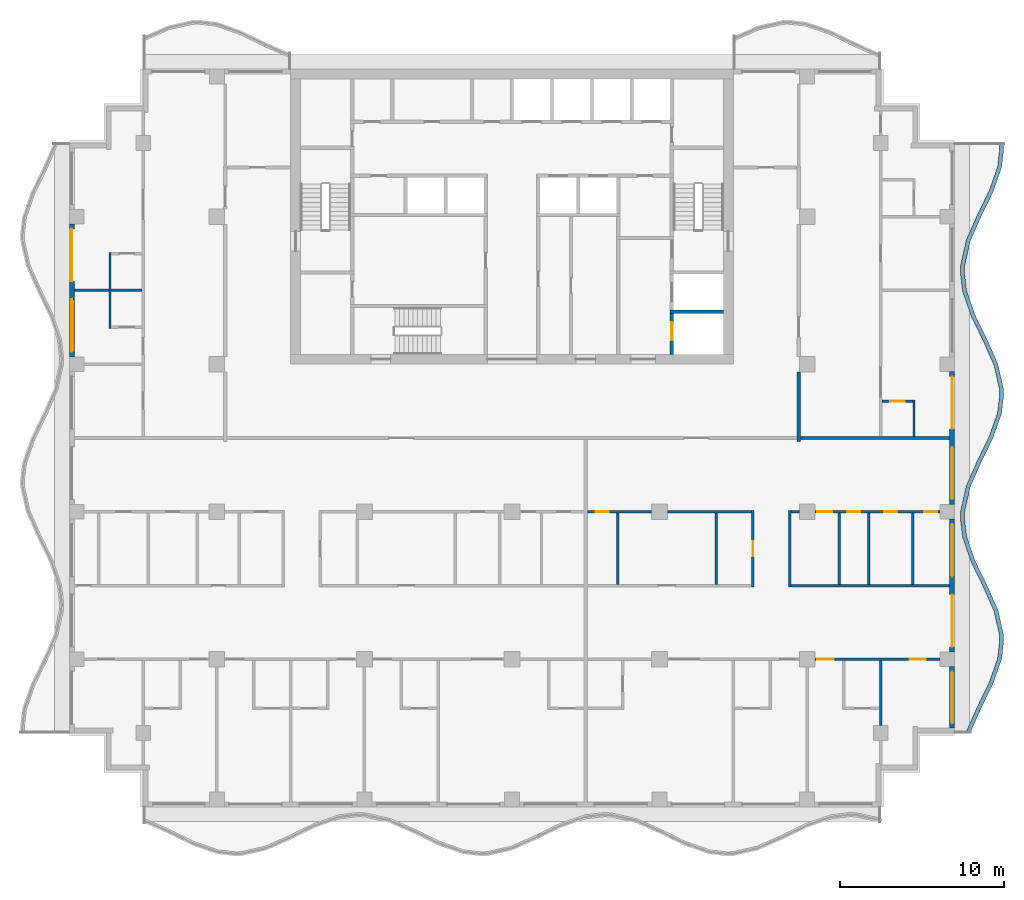
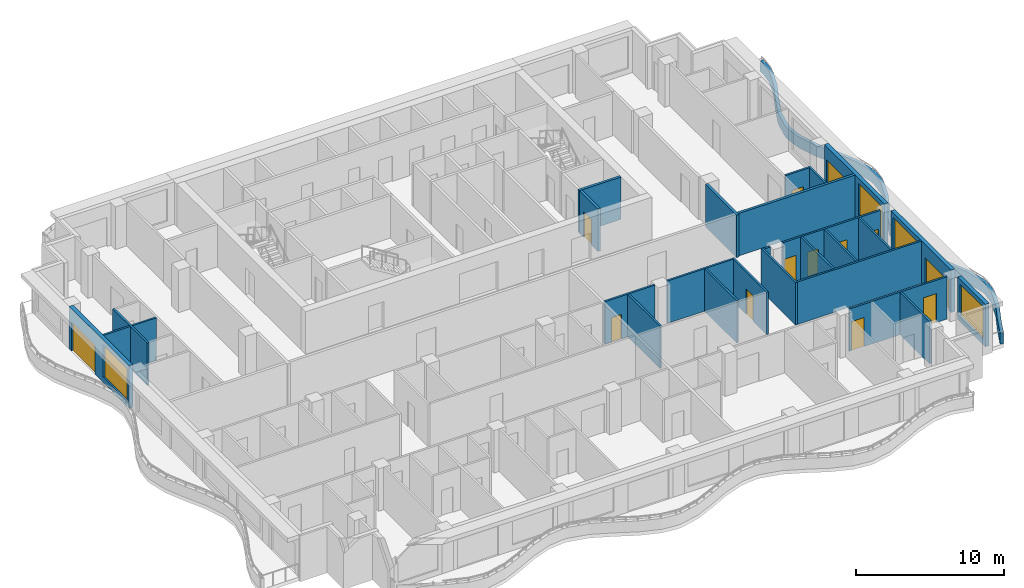
# One storey, part 4 of 11: 28 walls, 13 doors, 4 windows, 17 openings.
"""IFC4 building model written with IfcOpenShell, lengths in metres."""

from ifc_helpers import new_model, si_unit, direction, frame, frame_2d, origin, place, context, subcontext, project, spatial, polyline, rectangle, outline, extrude, material, layer, layer_set, type_object, element, fill, save


model = new_model("IFC4")

# Units and contexts
model_context = context("Model", 3, precision=1e-05, world=origin(), true_north=direction((0.0, 1.0)))
body_context = subcontext(model_context, "Body", "Model", "MODEL_VIEW")
ifc_project = project(units=[si_unit("LENGTHUNIT", "METRE"), si_unit("AREAUNIT", "SQUARE_METRE"), si_unit("VOLUMEUNIT", "CUBIC_METRE"), si_unit("PLANEANGLEUNIT", "RADIAN"), si_unit("MASSUNIT", "GRAM", prefix="KILO")], contexts=[model_context])

# Site, building, storey
site_placement = place(None, origin())
site = spatial("IfcSite", under=ifc_project, at=site_placement, CompositionType="ELEMENT")
building_placement = place(site_placement, origin())
building = spatial("IfcBuilding", under=site, at=building_placement, Name="Orbiselva Terraces", CompositionType="ELEMENT")
storey_placement = place(building_placement, frame((0.0, 0.0, 269.2)))
storey = spatial("IfcBuildingStorey", under=building, at=storey_placement, Name="L68", CompositionType="ELEMENT", Elevation=269.2)

# Wall, opening, door
ifc_material_1 = material(Name="Concrete C60/75", Category="concrete")
ifc_layer_1 = layer(ifc_material_1, 0.2)
ifc_layer_set_1 = layer_set([ifc_layer_1], Name="Concrete C60/75")
wall_type_1 = type_object("IfcWallType", Name="CORE-WALL-SHEAR-200", PredefinedType="SHEAR", material=ifc_layer_set_1)
wall_1_placement = place(storey_placement, frame((9.75, 5.1, 0.0), z_axis=(0.0, 0.0, 1.0), x_axis=(0.0, 1.0, 0.0)))
wall_1 = element("IfcWall", 1, at=wall_1_placement, inside=storey, type_object=wall_type_1, Name="L68 core wall 35", PredefinedType="SHEAR", context=body_context, shape_type="SweptSolid", body=[
    extrude(rectangle(XDim=2.5, YDim=0.2, at=frame_2d((1.25, 0.0))), origin(), (0.0, 0.0, 1.0), 3.5),
])
opening_1_placement = place(wall_1_placement, frame((0.85, 0.0, 0.0)))
opening_1 = element("IfcOpeningElement", 2, at=opening_1_placement, cuts=wall_1, Name="Opening LD-FF1", PredefinedType="OPENING", context=body_context, shape_type="SweptSolid", body=[
    extrude(rectangle(XDim=1.1, YDim=2.1, at=frame_2d((0.55, 1.05))), frame((0.0, 0.11, 0.0), z_axis=(0.0, -1.0, 0.0), x_axis=(1.0, 0.0, 0.0)), (0.0, 0.0, 1.0), 0.22),
])
ifc_material_2 = material(Name="Stainless steel landing door", Category="steel")
door_type_1 = type_object("IfcDoorType", Name="LANDING DOOR 1100", OperationType="SLIDING_TO_LEFT", PredefinedType="DOOR", material=ifc_material_2)
door_1_placement = place(opening_1_placement, origin())
door_1 = element("IfcDoor", 3, at=door_1_placement, inside=storey, type_object=door_type_1, Name="L68 landing door FF1", OperationType="SLIDING_TO_RIGHT", OverallHeight=2.1, OverallWidth=1.1, PredefinedType="DOOR", context=body_context, shape_type="SweptSolid", body=[
    extrude(rectangle(XDim=1.1, YDim=2.1, at=frame_2d((0.55, 1.05))), frame((0.0, 0.025, 0.0), z_axis=(0.0, -1.0, 0.0), x_axis=(1.0, 0.0, 0.0)), (0.0, 0.0, 1.0), 0.05),
])
fill(opening_1, door_1)

# Walls
wall_2_placement = place(storey_placement, frame((9.65, 7.7, 0.0), z_axis=(0.0, 0.0, 1.0), x_axis=(1.0, 0.0, 0.0)))
element("IfcWall", 4, at=wall_2_placement, inside=storey, type_object=wall_type_1, Name="L68 core wall 36", PredefinedType="SHEAR", context=body_context, shape_type="SweptSolid", body=[
    extrude(rectangle(XDim=3.25, YDim=0.2, at=frame_2d((1.625, 0.0))), origin(), (0.0, 0.0, 1.0), 3.5),
])
ifc_material_3 = material(Name="Concrete C40/50", Category="concrete")
ifc_layer_2 = layer(ifc_material_3, 0.25)
ifc_layer_set_2 = layer_set([ifc_layer_2], Name="Concrete C40/50")
wall_type_2 = type_object("IfcWallType", Name="ENV-PLANTER-250x900", PredefinedType="USERDEFINED", material=ifc_layer_set_2)
wall_3_placement = place(storey_placement, origin())
element("IfcWall", 5, at=wall_3_placement, inside=storey, type_object=wall_type_2, Name="Balcony planter L68 E", ObjectType="PLANTER", PredefinedType="USERDEFINED", context=body_context, shape_type="SweptSolid", body=[
    extrude(outline(polyline([(27.951472, -18.0), (28.612279, -16.5), (29.344789, -15.0), (29.869208, -13.5), (30.0, -12.375), (29.985226, -12.0), (29.648528, -10.5), (28.987721, -9.0), (28.255211, -7.5), (27.730792, -6.0), (27.6, -4.875), (27.614774, -4.5), (27.951472, -3.0), (28.612279, -1.5), (29.344789, 0.0), (29.869208, 1.5), (30.0, 2.625), (29.985226, 3.0), (29.648528, 4.5), (28.987721, 6.0), (28.255211, 7.5), (27.730792, 9.0), (27.6, 10.125), (27.614774, 10.5), (27.951472, 12.0), (28.612279, 13.5), (29.344789, 15.0), (29.869208, 16.5), (30.0, 17.625), (29.985226, 18.0), (29.73542, 17.990158), (29.749429, 17.634572), (29.624078, 16.556371), (29.113667, 15.09644), (28.385477, 13.605286), (27.712874, 12.078508), (27.365863, 10.532565), (27.349429, 10.115428), (27.485662, 8.943629), (28.024089, 7.40356), (28.760919, 5.894714), (29.40993, 4.421492), (29.736315, 2.967435), (29.749429, 2.634572), (29.624078, 1.556371), (29.113667, 0.09644), (28.385477, -1.394714), (27.712874, -2.921492), (27.365863, -4.467435), (27.349429, -4.884572), (27.485662, -6.056371), (28.024089, -7.59644), (28.760919, -9.105286), (29.40993, -10.578508), (29.736315, -12.032565), (29.749429, -12.365428), (29.624078, -13.443629), (29.113667, -14.90356), (28.385477, -16.394714), (27.722689, -17.899212), (27.951472, -18.0)])), origin(), (0.0, 0.0, 1.0), 0.9),
])

# Wall, opening, window
ifc_material_4 = material(Name="Terracotta cladding on masonry backing", Category="masonry")
ifc_layer_3 = layer(ifc_material_4, 0.3)
ifc_layer_set_3 = layer_set([ifc_layer_3], Name="Terracotta cladding on masonry backing")
wall_type_3 = type_object("IfcWallType", Name="ENV-WALL-TERRACOTTA-300", PredefinedType="SOLIDWALL", material=ifc_layer_set_3)
wall_4_placement = place(storey_placement, frame((26.85, -13.95, 0.0), z_axis=(0.0, 0.0, 1.0), x_axis=(0.0, -1.0, 0.0)))
wall_4 = element("IfcWall", 6, at=wall_4_placement, inside=storey, type_object=wall_type_3, Name="Facade wall L68 E", PredefinedType="SOLIDWALL", context=body_context, shape_type="SweptSolid", body=[
    extrude(rectangle(XDim=3.75, YDim=0.3, at=frame_2d((1.875, 0.0))), origin(), (0.0, 0.0, 1.0), 3.5),
])
opening_2_placement = place(wall_4_placement, frame((0.3, 0.0, 0.45)))
opening_2 = element("IfcOpeningElement", 7, at=opening_2_placement, cuts=wall_4, Name="Opening WN16", PredefinedType="OPENING", context=body_context, shape_type="SweptSolid", body=[
    extrude(rectangle(XDim=3.15, YDim=2.65, at=frame_2d((1.575, 1.325))), frame((0.0, 0.16, 0.0), z_axis=(0.0, -1.0, 0.0), x_axis=(1.0, 0.0, 0.0)), (0.0, 0.0, 1.0), 0.32),
])
ifc_material_5 = material(Name="Clear low-e glazing in aluminium frame", Category="aluminium")
window_type_1 = type_object("IfcWindowType", Name="WINDOW 3150 X 2650 S450", PartitioningType="TRIPLE_PANEL_VERTICAL", PredefinedType="WINDOW", material=ifc_material_5)
window_1_placement = place(opening_2_placement, origin())
window_1 = element("IfcWindow", 8, at=window_1_placement, inside=storey, type_object=window_type_1, Name="Window L68 E", OverallHeight=2.65, OverallWidth=3.15, PartitioningType="SINGLE_PANEL", PredefinedType="WINDOW", context=body_context, shape_type="SweptSolid", body=[
    extrude(rectangle(XDim=3.15, YDim=2.65, at=frame_2d((1.575, 1.325))), frame((0.0, 0.03, 0.0), z_axis=(0.0, -1.0, 0.0), x_axis=(1.0, 0.0, 0.0)), (0.0, 0.0, 1.0), 0.06),
])
fill(opening_2, window_1)

# Wall, openings, door, window
wall_5_placement = place(storey_placement, frame((26.85, -4.95, 0.0), z_axis=(0.0, 0.0, 1.0), x_axis=(0.0, -1.0, 0.0)))
wall_5 = element("IfcWall", 9, at=wall_5_placement, inside=storey, type_object=wall_type_3, Name="Facade wall L68 E", PredefinedType="SOLIDWALL", context=body_context, shape_type="SweptSolid", body=[
    extrude(rectangle(XDim=8.1, YDim=0.3, at=frame_2d((4.05, 0.0))), origin(), (0.0, 0.0, 1.0), 3.5),
])
opening_3_placement = place(wall_5_placement, frame((4.6, 0.0, 0.0)))
opening_3 = element("IfcOpeningElement", 10, at=opening_3_placement, cuts=wall_5, Name="Opening Z5-C-E05", PredefinedType="OPENING", context=body_context, shape_type="SweptSolid", body=[
    extrude(rectangle(XDim=3.2, YDim=2.4, at=frame_2d((1.6, 1.2))), frame((0.0, 0.16, 0.0), z_axis=(0.0, -1.0, 0.0), x_axis=(1.0, 0.0, 0.0)), (0.0, 0.0, 1.0), 0.32),
])
opening_4_placement = place(wall_5_placement, frame((0.3, 0.0, 0.45)))
opening_4 = element("IfcOpeningElement", 11, at=opening_4_placement, cuts=wall_5, Name="Opening WN17", PredefinedType="OPENING", context=body_context, shape_type="SweptSolid", body=[
    extrude(rectangle(XDim=3.2, YDim=2.65, at=frame_2d((1.6, 1.325))), frame((0.0, 0.16, 0.0), z_axis=(0.0, -1.0, 0.0), x_axis=(1.0, 0.0, 0.0)), (0.0, 0.0, 1.0), 0.32),
])
door_type_2 = type_object("IfcDoorType", Name="BALCONY DOOR 3200 X 2400", OperationType="DOUBLE_DOOR_SLIDING", PredefinedType="DOOR", material=ifc_material_5)
door_2_placement = place(opening_3_placement, origin())
door_2 = element("IfcDoor", 12, at=door_2_placement, inside=storey, type_object=door_type_2, Name="Z5-C-E05", OperationType="SINGLE_SWING_LEFT", OverallHeight=2.4, OverallWidth=3.2, PredefinedType="DOOR", context=body_context, shape_type="SweptSolid", body=[
    extrude(rectangle(XDim=3.2, YDim=2.4, at=frame_2d((1.6, 1.2))), frame((0.0, 0.025, 0.0), z_axis=(0.0, -1.0, 0.0), x_axis=(1.0, 0.0, 0.0)), (0.0, 0.0, 1.0), 0.05),
])
fill(opening_3, door_2)
window_type_2 = type_object("IfcWindowType", Name="WINDOW 3200 X 2650 S450", PartitioningType="TRIPLE_PANEL_VERTICAL", PredefinedType="WINDOW", material=ifc_material_5)
window_2_placement = place(opening_4_placement, origin())
window_2 = element("IfcWindow", 13, at=window_2_placement, inside=storey, type_object=window_type_2, Name="Window L68 E", OverallHeight=2.65, OverallWidth=3.2, PartitioningType="SINGLE_PANEL", PredefinedType="WINDOW", context=body_context, shape_type="SweptSolid", body=[
    extrude(rectangle(XDim=3.2, YDim=2.65, at=frame_2d((1.6, 1.325))), frame((0.0, 0.03, 0.0), z_axis=(0.0, -1.0, 0.0), x_axis=(1.0, 0.0, 0.0)), (0.0, 0.0, 1.0), 0.06),
])
fill(opening_4, window_2)

wall_6_placement = place(storey_placement, frame((26.85, 4.05, 0.0), z_axis=(0.0, 0.0, 1.0), x_axis=(0.0, -1.0, 0.0)))
wall_6 = element("IfcWall", 14, at=wall_6_placement, inside=storey, type_object=wall_type_3, Name="Facade wall L68 E", PredefinedType="SOLIDWALL", context=body_context, shape_type="SweptSolid", body=[
    extrude(rectangle(XDim=8.1, YDim=0.3, at=frame_2d((4.05, 0.0))), origin(), (0.0, 0.0, 1.0), 3.5),
])
opening_5_placement = place(wall_6_placement, frame((4.6, 0.0, 0.45)))
opening_5 = element("IfcOpeningElement", 15, at=opening_5_placement, cuts=wall_6, Name="Opening WN17", PredefinedType="OPENING", context=body_context, shape_type="SweptSolid", body=[
    extrude(rectangle(XDim=3.2, YDim=2.65, at=frame_2d((1.6, 1.325))), frame((0.0, 0.16, 0.0), z_axis=(0.0, -1.0, 0.0), x_axis=(1.0, 0.0, 0.0)), (0.0, 0.0, 1.0), 0.32),
])
opening_6_placement = place(wall_6_placement, frame((0.3, 0.0, 0.0)))
opening_6 = element("IfcOpeningElement", 16, at=opening_6_placement, cuts=wall_6, Name="Opening Z5-C-E14", PredefinedType="OPENING", context=body_context, shape_type="SweptSolid", body=[
    extrude(rectangle(XDim=3.2, YDim=2.4, at=frame_2d((1.6, 1.2))), frame((0.0, 0.16, 0.0), z_axis=(0.0, -1.0, 0.0), x_axis=(1.0, 0.0, 0.0)), (0.0, 0.0, 1.0), 0.32),
])
door_3_placement = place(opening_6_placement, origin())
door_3 = element("IfcDoor", 17, at=door_3_placement, inside=storey, type_object=door_type_2, Name="Z5-C-E14", OperationType="SINGLE_SWING_LEFT", OverallHeight=2.4, OverallWidth=3.2, PredefinedType="DOOR", context=body_context, shape_type="SweptSolid", body=[
    extrude(rectangle(XDim=3.2, YDim=2.4, at=frame_2d((1.6, 1.2))), frame((0.0, 0.025, 0.0), z_axis=(0.0, -1.0, 0.0), x_axis=(1.0, 0.0, 0.0)), (0.0, 0.0, 1.0), 0.05),
])
fill(opening_6, door_3)
window_3_placement = place(opening_5_placement, origin())
window_3 = element("IfcWindow", 18, at=window_3_placement, inside=storey, type_object=window_type_2, Name="Window L68 E", OverallHeight=2.65, OverallWidth=3.2, PartitioningType="SINGLE_PANEL", PredefinedType="WINDOW", context=body_context, shape_type="SweptSolid", body=[
    extrude(rectangle(XDim=3.2, YDim=2.65, at=frame_2d((1.6, 1.325))), frame((0.0, 0.03, 0.0), z_axis=(0.0, -1.0, 0.0), x_axis=(1.0, 0.0, 0.0)), (0.0, 0.0, 1.0), 0.06),
])
fill(opening_5, window_3)

wall_7_placement = place(storey_placement, frame((-26.85, 4.95, 0.0), z_axis=(0.0, 0.0, 1.0), x_axis=(0.0, 1.0, 0.0)))
wall_7 = element("IfcWall", 19, at=wall_7_placement, inside=storey, type_object=wall_type_3, Name="Facade wall L68 W", PredefinedType="SOLIDWALL", context=body_context, shape_type="SweptSolid", body=[
    extrude(rectangle(XDim=8.1, YDim=0.3, at=frame_2d((4.05, 0.0))), origin(), (0.0, 0.0, 1.0), 3.5),
])
opening_7_placement = place(wall_7_placement, frame((4.6, 0.0, 0.0)))
opening_7 = element("IfcOpeningElement", 20, at=opening_7_placement, cuts=wall_7, Name="Opening Z5-C-E10", PredefinedType="OPENING", context=body_context, shape_type="SweptSolid", body=[
    extrude(rectangle(XDim=3.2, YDim=2.4, at=frame_2d((1.6, 1.2))), frame((0.0, 0.16, 0.0), z_axis=(0.0, -1.0, 0.0), x_axis=(1.0, 0.0, 0.0)), (0.0, 0.0, 1.0), 0.32),
])
opening_8_placement = place(wall_7_placement, frame((0.3, 0.0, 0.45)))
opening_8 = element("IfcOpeningElement", 21, at=opening_8_placement, cuts=wall_7, Name="Opening WN17", PredefinedType="OPENING", context=body_context, shape_type="SweptSolid", body=[
    extrude(rectangle(XDim=3.2, YDim=2.65, at=frame_2d((1.6, 1.325))), frame((0.0, 0.16, 0.0), z_axis=(0.0, -1.0, 0.0), x_axis=(1.0, 0.0, 0.0)), (0.0, 0.0, 1.0), 0.32),
])
door_4_placement = place(opening_7_placement, origin())
door_4 = element("IfcDoor", 22, at=door_4_placement, inside=storey, type_object=door_type_2, Name="Z5-C-E10", OperationType="SINGLE_SWING_LEFT", OverallHeight=2.4, OverallWidth=3.2, PredefinedType="DOOR", context=body_context, shape_type="SweptSolid", body=[
    extrude(rectangle(XDim=3.2, YDim=2.4, at=frame_2d((1.6, 1.2))), frame((0.0, 0.025, 0.0), z_axis=(0.0, -1.0, 0.0), x_axis=(1.0, 0.0, 0.0)), (0.0, 0.0, 1.0), 0.05),
])
fill(opening_7, door_4)
window_4_placement = place(opening_8_placement, origin())
window_4 = element("IfcWindow", 23, at=window_4_placement, inside=storey, type_object=window_type_2, Name="Window L68 W", OverallHeight=2.65, OverallWidth=3.2, PartitioningType="SINGLE_PANEL", PredefinedType="WINDOW", context=body_context, shape_type="SweptSolid", body=[
    extrude(rectangle(XDim=3.2, YDim=2.65, at=frame_2d((1.6, 1.325))), frame((0.0, 0.03, 0.0), z_axis=(0.0, -1.0, 0.0), x_axis=(1.0, 0.0, 0.0)), (0.0, 0.0, 1.0), 0.06),
])
fill(opening_8, window_4)

# Wall
ifc_material_6 = material(Name="Plasterboard on steel stud partition", Category="steel")
ifc_layer_4 = layer(ifc_material_6, 0.2)
ifc_layer_set_4 = layer_set([ifc_layer_4], Name="Plasterboard on steel stud partition")
wall_type_4 = type_object("IfcWallType", Name="UNIT-ENTRANCE-WALL-200", PredefinedType="PARTITIONING", material=ifc_layer_set_4)
wall_8_placement = place(storey_placement, frame((17.5, -0.2, 0.0), z_axis=(0.0, 0.0, 1.0), x_axis=(0.0, 1.0, 0.0)))
element("IfcWall", 24, at=wall_8_placement, inside=storey, type_object=wall_type_4, Name="PARTITION L68-079", PredefinedType="PARTITIONING", context=body_context, shape_type="SweptSolid", body=[
    extrude(rectangle(XDim=4.225, YDim=0.2, at=frame_2d((2.1125, 0.0))), origin(), (0.0, 0.0, 1.0), 3.5),
])

# Wall, openings, doors
ifc_layer_5 = layer(ifc_material_6, 0.15)
ifc_layer_set_5 = layer_set([ifc_layer_5], Name="Plasterboard on steel stud partition")
wall_type_5 = type_object("IfcWallType", Name="UNIT-PARTITION-150", PredefinedType="PARTITIONING", material=ifc_layer_set_5)
wall_9_placement = place(storey_placement, frame((26.1, -13.5, 0.0), z_axis=(0.0, 0.0, 1.0), x_axis=(-1.0, 0.0, 0.0)))
wall_9 = element("IfcWall", 25, at=wall_9_placement, inside=storey, type_object=wall_type_5, Name="PARTITION L68-015", PredefinedType="PARTITIONING", context=body_context, shape_type="SweptSolid", body=[
    extrude(rectangle(XDim=7.625, YDim=0.15, at=frame_2d((3.8125, 0.0))), origin(), (0.0, 0.0, 1.0), 3.5),
])
opening_9_placement = place(wall_9_placement, frame((6.475, 0.0, 0.0)))
opening_9 = element("IfcOpeningElement", 26, at=opening_9_placement, cuts=wall_9, Name="Opening Z5-C-49", PredefinedType="OPENING", context=body_context, shape_type="SweptSolid", body=[
    extrude(rectangle(XDim=1.0, YDim=2.4, at=frame_2d((0.5, 1.2))), frame((0.0, 0.085, 0.0), z_axis=(0.0, -1.0, 0.0), x_axis=(1.0, 0.0, 0.0)), (0.0, 0.0, 1.0), 0.17),
])
opening_10_placement = place(wall_9_placement, frame((0.85, 0.0, 0.0)))
opening_10 = element("IfcOpeningElement", 27, at=opening_10_placement, cuts=wall_9, Name="Opening Z5-C-51", PredefinedType="OPENING", context=body_context, shape_type="SweptSolid", body=[
    extrude(rectangle(XDim=1.0, YDim=2.4, at=frame_2d((0.5, 1.2))), frame((0.0, 0.085, 0.0), z_axis=(0.0, -1.0, 0.0), x_axis=(1.0, 0.0, 0.0)), (0.0, 0.0, 1.0), 0.17),
])
ifc_material_7 = material(Name="Painted timber door leaf", Category="wood")
door_type_3 = type_object("IfcDoorType", Name="ROOM DOOR 1000", OperationType="NOTDEFINED", PredefinedType="DOOR", material=ifc_material_7)
door_5_placement = place(opening_9_placement, origin())
door_5 = element("IfcDoor", 28, at=door_5_placement, inside=storey, type_object=door_type_3, Name="Z5-C-49", OperationType="SINGLE_SWING_RIGHT", OverallHeight=2.4, OverallWidth=1.0, PredefinedType="DOOR", context=body_context, shape_type="SweptSolid", body=[
    extrude(rectangle(XDim=1.0, YDim=2.4, at=frame_2d((0.5, 1.2))), frame((0.0, 0.025, 0.0), z_axis=(0.0, -1.0, 0.0), x_axis=(1.0, 0.0, 0.0)), (0.0, 0.0, 1.0), 0.05),
])
fill(opening_9, door_5)
door_6_placement = place(opening_10_placement, origin())
door_6 = element("IfcDoor", 29, at=door_6_placement, inside=storey, type_object=door_type_3, Name="Z5-C-51", OperationType="SINGLE_SWING_LEFT", OverallHeight=2.4, OverallWidth=1.0, PredefinedType="DOOR", context=body_context, shape_type="SweptSolid", body=[
    extrude(rectangle(XDim=1.0, YDim=2.4, at=frame_2d((0.5, 1.2))), frame((0.0, 0.025, 0.0), z_axis=(0.0, -1.0, 0.0), x_axis=(1.0, 0.0, 0.0)), (0.0, 0.0, 1.0), 0.05),
])
fill(opening_10, door_6)

# Wall
wall_10_placement = place(storey_placement, frame((17.025, -9.0, 0.0), z_axis=(0.0, 0.0, 1.0), x_axis=(1.0, 0.0, 0.0)))
element("IfcWall", 30, at=wall_10_placement, inside=storey, type_object=wall_type_5, Name="PARTITION L68-019", PredefinedType="PARTITIONING", context=body_context, shape_type="SweptSolid", body=[
    extrude(rectangle(XDim=9.675, YDim=0.15, at=frame_2d((4.8375, 0.0))), origin(), (0.0, 0.0, 1.0), 3.5),
])

# Wall, opening, door
wall_11_placement = place(storey_placement, frame((8.525, -4.5, 0.0), z_axis=(0.0, 0.0, 1.0), x_axis=(-1.0, 0.0, 0.0)))
wall_11 = element("IfcWall", 31, at=wall_11_placement, inside=storey, type_object=wall_type_5, Name="PARTITION L68-025", PredefinedType="PARTITIONING", context=body_context, shape_type="SweptSolid", body=[
    extrude(rectangle(XDim=3.925, YDim=0.15, at=frame_2d((1.9625, 0.0))), origin(), (0.0, 0.0, 1.0), 3.5),
])
opening_11_placement = place(wall_11_placement, frame((2.625, 0.0, 0.0)))
opening_11 = element("IfcOpeningElement", 32, at=opening_11_placement, cuts=wall_11, Name="Opening Z5-C-38", PredefinedType="OPENING", context=body_context, shape_type="SweptSolid", body=[
    extrude(rectangle(XDim=0.8, YDim=2.0, at=frame_2d((0.4, 1.0))), frame((0.0, 0.085, 0.0), z_axis=(0.0, -1.0, 0.0), x_axis=(1.0, 0.0, 0.0)), (0.0, 0.0, 1.0), 0.17),
])
door_type_4 = type_object("IfcDoorType", Name="STORE DOOR 800", OperationType="NOTDEFINED", PredefinedType="DOOR", material=ifc_material_7)
door_7_placement = place(opening_11_placement, origin())
door_7 = element("IfcDoor", 33, at=door_7_placement, inside=storey, type_object=door_type_4, Name="Z5-C-38", OperationType="SINGLE_SWING_RIGHT", OverallHeight=2.0, OverallWidth=0.8, PredefinedType="DOOR", context=body_context, shape_type="SweptSolid", body=[
    extrude(rectangle(XDim=0.8, YDim=2.0, at=frame_2d((0.4, 1.0))), frame((0.0, 0.025, 0.0), z_axis=(0.0, -1.0, 0.0), x_axis=(1.0, 0.0, 0.0)), (0.0, 0.0, 1.0), 0.05),
])
fill(opening_11, door_7)

# Walls
wall_12_placement = place(storey_placement, frame((9.475, -4.5, 0.0), z_axis=(0.0, 0.0, 1.0), x_axis=(1.0, 0.0, 0.0)))
element("IfcWall", 34, at=wall_12_placement, inside=storey, type_object=wall_type_5, Name="PARTITION L68-026", PredefinedType="PARTITIONING", context=body_context, shape_type="SweptSolid", body=[
    extrude(rectangle(XDim=5.15, YDim=0.15, at=frame_2d((2.575, 0.0))), origin(), (0.0, 0.0, 1.0), 3.5),
])
wall_13_placement = place(storey_placement, frame((17.025, -4.5, 0.0), z_axis=(0.0, 0.0, 1.0), x_axis=(1.0, 0.0, 0.0)))
element("IfcWall", 35, at=wall_13_placement, inside=storey, type_object=wall_type_5, Name="PARTITION L68-027", PredefinedType="PARTITIONING", context=body_context, shape_type="SweptSolid", body=[
    extrude(rectangle(XDim=0.5, YDim=0.15, at=frame_2d((0.25, 0.0))), origin(), (0.0, 0.0, 1.0), 3.5),
])

# Wall, openings, doors
wall_14_placement = place(storey_placement, frame((26.1, -4.5, 0.0), z_axis=(0.0, 0.0, 1.0), x_axis=(-1.0, 0.0, 0.0)))
wall_14 = element("IfcWall", 36, at=wall_14_placement, inside=storey, type_object=wall_type_5, Name="PARTITION L68-028", PredefinedType="PARTITIONING", context=body_context, shape_type="SweptSolid", body=[
    extrude(rectangle(XDim=7.625, YDim=0.15, at=frame_2d((3.8125, 0.0))), origin(), (0.0, 0.0, 1.0), 3.5),
])
opening_12_placement = place(wall_14_placement, frame((6.575, 0.0, 0.0)))
opening_12 = element("IfcOpeningElement", 37, at=opening_12_placement, cuts=wall_14, Name="Opening Z5-C-41", PredefinedType="OPENING", context=body_context, shape_type="SweptSolid", body=[
    extrude(rectangle(XDim=0.9, YDim=2.1, at=frame_2d((0.45, 1.05))), frame((0.0, 0.085, 0.0), z_axis=(0.0, -1.0, 0.0), x_axis=(1.0, 0.0, 0.0)), (0.0, 0.0, 1.0), 0.17),
])
opening_13_placement = place(wall_14_placement, frame((4.85, 0.0, 0.0)))
opening_13 = element("IfcOpeningElement", 38, at=opening_13_placement, cuts=wall_14, Name="Opening Z5-C-42", PredefinedType="OPENING", context=body_context, shape_type="SweptSolid", body=[
    extrude(rectangle(XDim=0.8, YDim=2.0, at=frame_2d((0.4, 1.0))), frame((0.0, 0.085, 0.0), z_axis=(0.0, -1.0, 0.0), x_axis=(1.0, 0.0, 0.0)), (0.0, 0.0, 1.0), 0.17),
])
opening_14_placement = place(wall_14_placement, frame((2.6, 0.0, 0.0)))
opening_14 = element("IfcOpeningElement", 39, at=opening_14_placement, cuts=wall_14, Name="Opening Z5-C-43", PredefinedType="OPENING", context=body_context, shape_type="SweptSolid", body=[
    extrude(rectangle(XDim=0.8, YDim=2.0, at=frame_2d((0.4, 1.0))), frame((0.0, 0.085, 0.0), z_axis=(0.0, -1.0, 0.0), x_axis=(1.0, 0.0, 0.0)), (0.0, 0.0, 1.0), 0.17),
])
opening_15_placement = place(wall_14_placement, frame((0.15, 0.0, 0.0)))
opening_15 = element("IfcOpeningElement", 40, at=opening_15_placement, cuts=wall_14, Name="Opening Z5-C-44", PredefinedType="OPENING", context=body_context, shape_type="SweptSolid", body=[
    extrude(rectangle(XDim=0.8, YDim=2.0, at=frame_2d((0.4, 1.0))), frame((0.0, 0.085, 0.0), z_axis=(0.0, -1.0, 0.0), x_axis=(1.0, 0.0, 0.0)), (0.0, 0.0, 1.0), 0.17),
])
door_type_5 = type_object("IfcDoorType", Name="SERVICE DOOR 900", OperationType="NOTDEFINED", PredefinedType="DOOR", material=ifc_material_7)
door_8_placement = place(opening_12_placement, origin())
door_8 = element("IfcDoor", 41, at=door_8_placement, inside=storey, type_object=door_type_5, Name="Z5-C-41", OperationType="SINGLE_SWING_RIGHT", OverallHeight=2.1, OverallWidth=0.9, PredefinedType="DOOR", context=body_context, shape_type="SweptSolid", body=[
    extrude(rectangle(XDim=0.9, YDim=2.1, at=frame_2d((0.45, 1.05))), frame((0.0, 0.025, 0.0), z_axis=(0.0, -1.0, 0.0), x_axis=(1.0, 0.0, 0.0)), (0.0, 0.0, 1.0), 0.05),
])
fill(opening_12, door_8)
door_9_placement = place(opening_13_placement, origin())
door_9 = element("IfcDoor", 42, at=door_9_placement, inside=storey, type_object=door_type_4, Name="Z5-C-42", OperationType="SINGLE_SWING_RIGHT", OverallHeight=2.0, OverallWidth=0.8, PredefinedType="DOOR", context=body_context, shape_type="SweptSolid", body=[
    extrude(rectangle(XDim=0.8, YDim=2.0, at=frame_2d((0.4, 1.0))), frame((0.0, 0.025, 0.0), z_axis=(0.0, -1.0, 0.0), x_axis=(1.0, 0.0, 0.0)), (0.0, 0.0, 1.0), 0.05),
])
fill(opening_13, door_9)
door_10_placement = place(opening_14_placement, origin())
door_10 = element("IfcDoor", 43, at=door_10_placement, inside=storey, type_object=door_type_4, Name="Z5-C-43", OperationType="SINGLE_SWING_LEFT", OverallHeight=2.0, OverallWidth=0.8, PredefinedType="DOOR", context=body_context, shape_type="SweptSolid", body=[
    extrude(rectangle(XDim=0.8, YDim=2.0, at=frame_2d((0.4, 1.0))), frame((0.0, 0.025, 0.0), z_axis=(0.0, -1.0, 0.0), x_axis=(1.0, 0.0, 0.0)), (0.0, 0.0, 1.0), 0.05),
])
fill(opening_14, door_10)
door_11_placement = place(opening_15_placement, origin())
door_11 = element("IfcDoor", 44, at=door_11_placement, inside=storey, type_object=door_type_4, Name="Z5-C-44", OperationType="SINGLE_SWING_LEFT", OverallHeight=2.0, OverallWidth=0.8, PredefinedType="DOOR", context=body_context, shape_type="SweptSolid", body=[
    extrude(rectangle(XDim=0.8, YDim=2.0, at=frame_2d((0.4, 1.0))), frame((0.0, 0.025, 0.0), z_axis=(0.0, -1.0, 0.0), x_axis=(1.0, 0.0, 0.0)), (0.0, 0.0, 1.0), 0.05),
])
fill(opening_15, door_11)

# Wall, opening, door
wall_15_placement = place(storey_placement, frame((24.45, 2.25, 0.0), z_axis=(0.0, 0.0, 1.0), x_axis=(-1.0, 0.0, 0.0)))
wall_15 = element("IfcWall", 45, at=wall_15_placement, inside=storey, type_object=wall_type_5, Name="PARTITION L68-032", PredefinedType="PARTITIONING", context=body_context, shape_type="SweptSolid", body=[
    extrude(rectangle(XDim=1.875, YDim=0.15, at=frame_2d((0.9375, 0.0))), origin(), (0.0, 0.0, 1.0), 3.5),
])
opening_16_placement = place(wall_15_placement, frame((0.475, 0.0, 0.0)))
opening_16 = element("IfcOpeningElement", 46, at=opening_16_placement, cuts=wall_15, Name="Opening Z5-C-11", PredefinedType="OPENING", context=body_context, shape_type="SweptSolid", body=[
    extrude(rectangle(XDim=0.9, YDim=2.1, at=frame_2d((0.45, 1.05))), frame((0.0, 0.085, 0.0), z_axis=(0.0, -1.0, 0.0), x_axis=(1.0, 0.0, 0.0)), (0.0, 0.0, 1.0), 0.17),
])
door_type_6 = type_object("IfcDoorType", Name="BATH DOOR 900", OperationType="NOTDEFINED", PredefinedType="DOOR", material=ifc_material_7)
door_12_placement = place(opening_16_placement, origin())
door_12 = element("IfcDoor", 47, at=door_12_placement, inside=storey, type_object=door_type_6, Name="Z5-C-11", OperationType="SINGLE_SWING_LEFT", OverallHeight=2.1, OverallWidth=0.9, PredefinedType="DOOR", context=body_context, shape_type="SweptSolid", body=[
    extrude(rectangle(XDim=0.9, YDim=2.1, at=frame_2d((0.45, 1.05))), frame((0.0, 0.025, 0.0), z_axis=(0.0, -1.0, 0.0), x_axis=(1.0, 0.0, 0.0)), (0.0, 0.0, 1.0), 0.05),
])
fill(opening_16, door_12)

# Walls
wall_16_placement = place(storey_placement, frame((-26.7, 9.0, 0.0), z_axis=(0.0, 0.0, 1.0), x_axis=(1.0, 0.0, 0.0)))
element("IfcWall", 48, at=wall_16_placement, inside=storey, type_object=wall_type_5, Name="PARTITION L68-035", PredefinedType="PARTITIONING", context=body_context, shape_type="SweptSolid", body=[
    extrude(rectangle(XDim=2.1, YDim=0.15, at=frame_2d((1.05, 0.0))), origin(), (0.0, 0.0, 1.0), 3.5),
])
wall_17_placement = place(storey_placement, frame((-24.45, 9.0, 0.0), z_axis=(0.0, 0.0, 1.0), x_axis=(1.0, 0.0, 0.0)))
element("IfcWall", 49, at=wall_17_placement, inside=storey, type_object=wall_type_5, Name="PARTITION L68-036", PredefinedType="PARTITIONING", context=body_context, shape_type="SweptSolid", body=[
    extrude(rectangle(XDim=1.875, YDim=0.15, at=frame_2d((0.9375, 0.0))), origin(), (0.0, 0.0, 1.0), 3.5),
])
wall_18_placement = place(storey_placement, frame((-24.525, 6.675, 0.0), z_axis=(0.0, 0.0, 1.0), x_axis=(0.0, 1.0, 0.0)))
element("IfcWall", 50, at=wall_18_placement, inside=storey, type_object=wall_type_5, Name="PARTITION L68-044", PredefinedType="PARTITIONING", context=body_context, shape_type="SweptSolid", body=[
    extrude(rectangle(XDim=4.65, YDim=0.15, at=frame_2d((2.325, 0.0))), origin(), (0.0, 0.0, 1.0), 3.5),
])
for number, where, z_axis, x_axis, name in (
    (51, (6.45, -8.925, 0.0), (0.0, 0.0, 1.0), (0.0, 1.0, 0.0), "PARTITION L68-072"),
    (52, (12.45, -8.925, 0.0), (0.0, 0.0, 1.0), (0.0, 1.0, 0.0), "PARTITION L68-074"),
):
    element("IfcWall", number, at=place(storey_placement, frame(where, z_axis=z_axis, x_axis=x_axis)), inside=storey, type_object=wall_type_5, Name=name, PredefinedType="PARTITIONING", context=body_context, shape_type="SweptSolid", body=[
        extrude(rectangle(XDim=4.35, YDim=0.15, at=frame_2d((2.175, 0.0))), origin(), (0.0, 0.0, 1.0), 3.5),
    ])

# Wall, opening, door
wall_19_placement = place(storey_placement, frame((14.7, -9.075, 0.0), z_axis=(0.0, 0.0, 1.0), x_axis=(0.0, 1.0, 0.0)))
wall_19 = element("IfcWall", 53, at=wall_19_placement, inside=storey, type_object=wall_type_5, Name="PARTITION L68-076", PredefinedType="PARTITIONING", context=body_context, shape_type="SweptSolid", body=[
    extrude(rectangle(XDim=4.65, YDim=0.15, at=frame_2d((2.325, 0.0))), origin(), (0.0, 0.0, 1.0), 3.5),
])
opening_17_placement = place(wall_19_placement, frame((1.875, 0.0, 0.0)))
opening_17 = element("IfcOpeningElement", 54, at=opening_17_placement, cuts=wall_19, Name="Opening Z5-C-40", PredefinedType="OPENING", context=body_context, shape_type="SweptSolid", body=[
    extrude(rectangle(XDim=0.9, YDim=2.1, at=frame_2d((0.45, 1.05))), frame((0.0, 0.085, 0.0), z_axis=(0.0, -1.0, 0.0), x_axis=(1.0, 0.0, 0.0)), (0.0, 0.0, 1.0), 0.17),
])
door_13_placement = place(opening_17_placement, origin())
door_13 = element("IfcDoor", 55, at=door_13_placement, inside=storey, type_object=door_type_6, Name="Z5-C-40", OperationType="SINGLE_SWING_LEFT", OverallHeight=2.1, OverallWidth=0.9, PredefinedType="DOOR", context=body_context, shape_type="SweptSolid", body=[
    extrude(rectangle(XDim=0.9, YDim=2.1, at=frame_2d((0.45, 1.05))), frame((0.0, 0.025, 0.0), z_axis=(0.0, -1.0, 0.0), x_axis=(1.0, 0.0, 0.0)), (0.0, 0.0, 1.0), 0.05),
])
fill(opening_17, door_13)

# Walls
wall_20_placement = place(storey_placement, frame((16.95, -9.075, 0.0), z_axis=(0.0, 0.0, 1.0), x_axis=(0.0, 1.0, 0.0)))
element("IfcWall", 56, at=wall_20_placement, inside=storey, type_object=wall_type_5, Name="PARTITION L68-078", PredefinedType="PARTITIONING", context=body_context, shape_type="SweptSolid", body=[
    extrude(rectangle(XDim=4.65, YDim=0.15, at=frame_2d((2.325, 0.0))), origin(), (0.0, 0.0, 1.0), 3.5),
])
for number, where, z_axis, x_axis, name in (
    (57, (19.95, -8.925, 0.0), (0.0, 0.0, 1.0), (0.0, 1.0, 0.0), "PARTITION L68-084"),
    (58, (21.75, -8.925, 0.0), (0.0, 0.0, 1.0), (0.0, 1.0, 0.0), "PARTITION L68-086"),
):
    element("IfcWall", number, at=place(storey_placement, frame(where, z_axis=z_axis, x_axis=x_axis)), inside=storey, type_object=wall_type_5, Name=name, PredefinedType="PARTITIONING", context=body_context, shape_type="SweptSolid", body=[
        extrude(rectangle(XDim=4.35, YDim=0.15, at=frame_2d((2.175, 0.0))), origin(), (0.0, 0.0, 1.0), 3.5),
    ])
wall_21_placement = place(storey_placement, frame((22.5, -17.55, 0.0), z_axis=(0.0, 0.0, 1.0), x_axis=(0.0, 1.0, 0.0)))
element("IfcWall", 59, at=wall_21_placement, inside=storey, type_object=wall_type_5, Name="PARTITION L68-088", PredefinedType="PARTITIONING", context=body_context, shape_type="SweptSolid", body=[
    extrude(rectangle(XDim=3.975, YDim=0.15, at=frame_2d((1.9875, 0.0))), origin(), (0.0, 0.0, 1.0), 3.5),
])
wall_22_placement = place(storey_placement, frame((24.45, -8.925, 0.0), z_axis=(0.0, 0.0, 1.0), x_axis=(0.0, 1.0, 0.0)))
element("IfcWall", 60, at=wall_22_placement, inside=storey, type_object=wall_type_5, Name="PARTITION L68-091", PredefinedType="PARTITIONING", context=body_context, shape_type="SweptSolid", body=[
    extrude(rectangle(XDim=4.35, YDim=0.15, at=frame_2d((2.175, 0.0))), origin(), (0.0, 0.0, 1.0), 3.5),
])
wall_23_placement = place(storey_placement, frame((24.525, 0.1, 0.0), z_axis=(0.0, 0.0, 1.0), x_axis=(0.0, 1.0, 0.0)))
element("IfcWall", 61, at=wall_23_placement, inside=storey, type_object=wall_type_5, Name="PARTITION L68-092", PredefinedType="PARTITIONING", context=body_context, shape_type="SweptSolid", body=[
    extrude(rectangle(XDim=2.225, YDim=0.15, at=frame_2d((1.1125, 0.0))), origin(), (0.0, 0.0, 1.0), 3.5),
])
ifc_layer_6 = layer(ifc_material_6, 0.2)
ifc_layer_set_6 = layer_set([ifc_layer_6], Name="Plasterboard on steel stud partition")
wall_type_6 = type_object("IfcWallType", Name="UNIT-PARTY-WALL-200", PredefinedType="PARTITIONING", material=ifc_layer_set_6)
wall_24_placement = place(storey_placement, frame((17.6, 0.0, 0.0), z_axis=(0.0, 0.0, 1.0), x_axis=(1.0, 0.0, 0.0)))
element("IfcWall", 62, at=wall_24_placement, inside=storey, type_object=wall_type_6, Name="PARTITION L68-031", PredefinedType="PARTITIONING", context=body_context, shape_type="SweptSolid", body=[
    extrude(rectangle(XDim=9.1, YDim=0.2, at=frame_2d((4.55, 0.0))), origin(), (0.0, 0.0, 1.0), 3.5),
])

save(model, "model.ifc")
